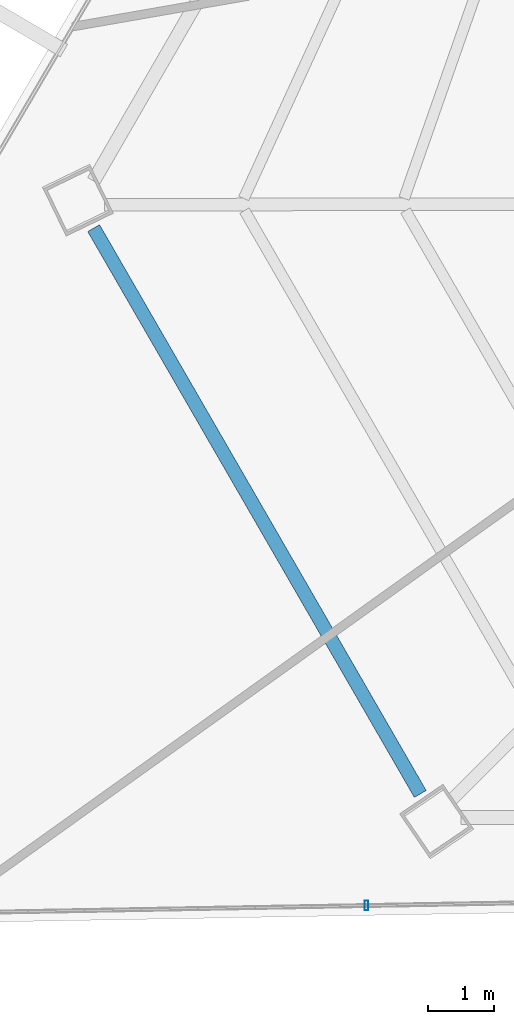
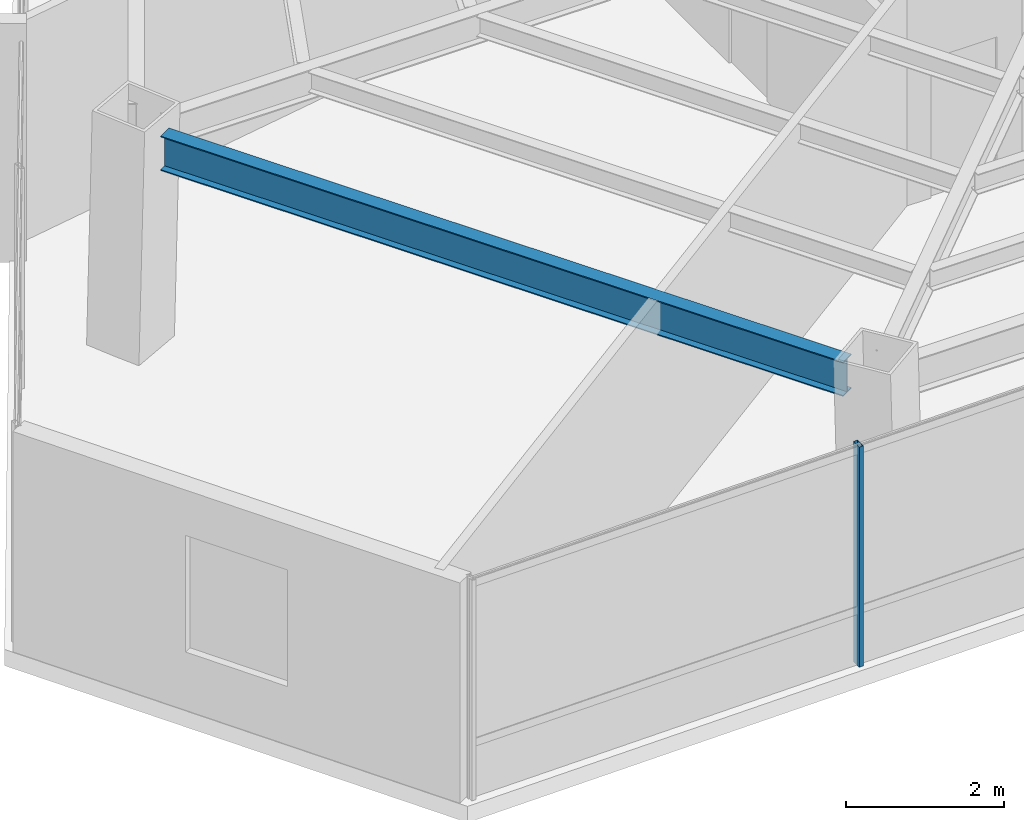
# One storey, part 4 of 42: 1 beam, 1 member, 1 element without a shape of its own.
"""IFC4 building model written with IfcOpenShell, lengths in metres."""

from ifc_helpers import new_model, si_unit, direction, frame, origin, origin_2d, place, context, subcontext, project, spatial, hollow_rectangle, i_section, extrude, source, transform, mapped, material, material_profile, profile_set, type_object, type_shapes, element, aggregate, save


model = new_model("IFC4")

# Units and contexts
model_context = context("Model", 3, precision=1e-05, world=origin(), true_north=direction((0.0, 1.0)))
body_context = subcontext(model_context, "Body", "Model", "MODEL_VIEW")
ifc_project = project(units=[si_unit("LENGTHUNIT", "METRE"), si_unit("AREAUNIT", "SQUARE_METRE"), si_unit("VOLUMEUNIT", "CUBIC_METRE"), si_unit("PLANEANGLEUNIT", "RADIAN"), si_unit("MASSUNIT", "GRAM", prefix="KILO")], contexts=[model_context])

# Site, building, storey
site_placement = place(None, origin())
site = spatial("IfcSite", under=ifc_project, at=site_placement, CompositionType="ELEMENT")
building_placement = place(site_placement, origin())
building = spatial("IfcBuilding", under=site, at=building_placement, Name="Caelisora Broadcast Tower", CompositionType="ELEMENT")
storey_placement = place(building_placement, frame((0.0, 0.0, 187.699951171875)))
storey = spatial("IfcBuildingStorey", under=building, at=storey_placement, Name="L49", CompositionType="ELEMENT", Elevation=187.699951171875)

# Beam
ifc_material_1 = material(Name="Steel Grade 350 (AS/NZS 3679.1)", Category="steel")
ifc_material_profile_1 = material_profile(ifc_material_1, i_section(OverallWidth=0.208984375, OverallDepth=0.532958984375, WebThickness=0.01025390625, FlangeThickness=0.015625, at=origin_2d()), Name="Steel Grade 350 (AS/NZS 3679.1)")
ifc_profile_set_1 = profile_set([ifc_material_profile_1], Name="Steel Grade 350 (AS/NZS 3679.1)")
beam_type = type_object("IfcBeamType", Name="PG05", PredefinedType="BEAM", material=ifc_profile_set_1)
shared_shape_1 = source(origin(), body_context, "Body", "SweptSolid", [
    extrude(i_section(OverallWidth=0.208984375, OverallDepth=0.532958984375, WebThickness=0.01025390625, FlangeThickness=0.015625, at=origin_2d()), origin(), (0.0, 0.0, 1.0), 9.967529296875),
])
type_shapes(beam_type, [shared_shape_1])
beam_placement = place(storey_placement, frame((15.970458984375, 17.0361328125, 3.133544921875), z_axis=(0.499982533367, -0.866035487915, 0.0), x_axis=(0.866035487915, 0.499982533367, 0.0)))
element("IfcBeam", 1, at=beam_placement, inside=storey, type_object=beam_type, Name="L49 beam PG05", PredefinedType="BEAM", context=body_context, shape_type="MappedRepresentation", body=[
    mapped(shared_shape_1, transform((0.0, 0.0, 0.0), scale=1.0)),
])

# Curtain wall, member
ifc_material_2 = material(Name="Unitised Aluminium and Low-E Glass Curtain Wall", Category="glass")
curtain_wall_type = type_object("IfcCurtainWallType", Name="CW-Z4", PredefinedType="NOTDEFINED", material=ifc_material_2)
curtain_wall_placement = place(storey_placement, origin())
curtain_wall = element("IfcCurtainWall", 2, at=curtain_wall_placement, inside=storey, type_object=curtain_wall_type, Name="L49 curtain wall CW-Z4", PredefinedType="NOTDEFINED")
ifc_material_3 = material(Name="Aluminium 6063-T6 Anodised Terracotta Bronze", Category="aluminium")
ifc_material_profile_2 = material_profile(ifc_material_3, hollow_rectangle(XDim=0.06005859375, YDim=0.14990234375, WallThickness=0.00341796875, at=origin_2d()), Name="Aluminium 6063-T6 Anodised Terracotta Bronze")
ifc_profile_set_2 = profile_set([ifc_material_profile_2], Name="Aluminium 6063-T6 Anodised Terracotta Bronze")
member_type = type_object("IfcMemberType", Name="CWM-03", PredefinedType="MULLION", material=ifc_profile_set_2)
shared_shape_2 = source(origin(), body_context, "Body", "SweptSolid", [
    extrude(hollow_rectangle(XDim=0.06005859375, YDim=0.14990234375, WallThickness=0.00341796875, at=origin_2d()), origin(), (0.0, 0.0, 1.0), 3.400146484375),
])
type_shapes(member_type, [shared_shape_2])
member_placement = place(storey_placement, frame((20.1337890625, 6.701416015625, 0.0), z_axis=(0.0, 0.0, 1.0), x_axis=(1.0, 0.0, 0.0)))
member = element("IfcMember", 3, at=member_placement, type_object=member_type, Name="L49-CW-B07 mullion #2", PredefinedType="MULLION", context=body_context, shape_type="MappedRepresentation", body=[
    mapped(shared_shape_2, transform((0.0, 0.0, 0.0), scale=1.0)),
])
aggregate(curtain_wall, [member])

save(model, "model.ifc")
